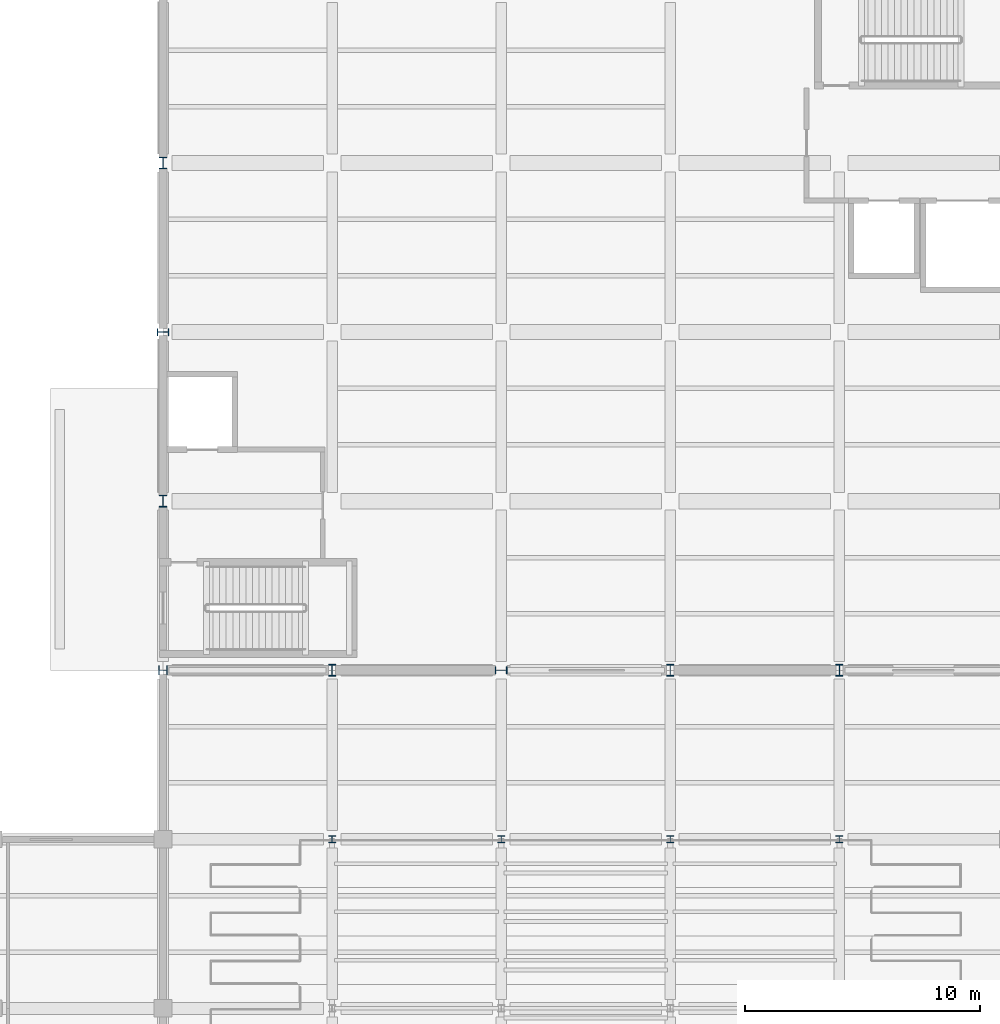
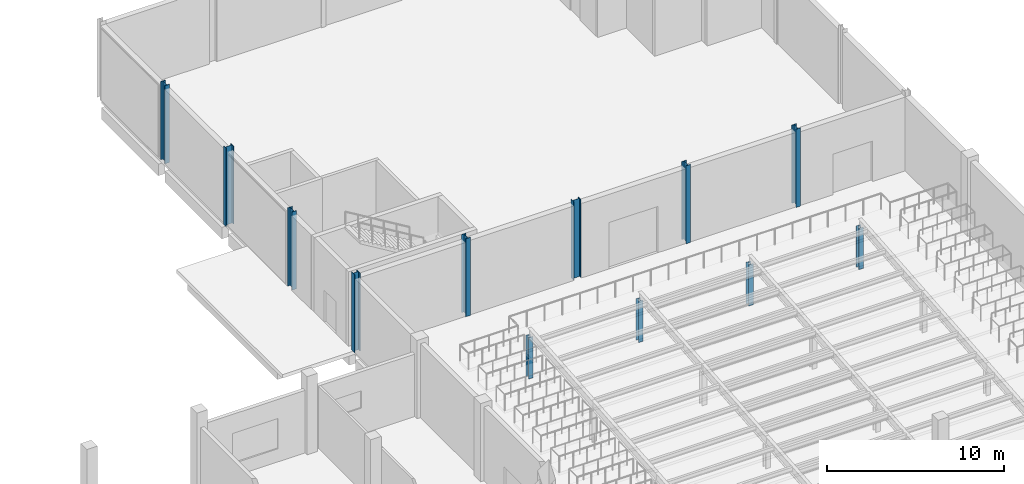
# One storey, part 9 of 46: 12 columns.
"""IFC4 building model written with IfcOpenShell, lengths in metres."""

from ifc_helpers import new_model, si_unit, direction, frame, origin, origin_2d, place, context, subcontext, project, spatial, i_section, extrude, material, material_profile, profile_set, type_object, element, save


model = new_model("IFC4")

# Units and contexts
model_context = context("Model", 3, precision=1e-05, world=origin(), true_north=direction((0.0, 1.0)))
body_context = subcontext(model_context, "Body", "Model", "MODEL_VIEW")
ifc_project = project(units=[si_unit("LENGTHUNIT", "METRE"), si_unit("AREAUNIT", "SQUARE_METRE"), si_unit("VOLUMEUNIT", "CUBIC_METRE"), si_unit("PLANEANGLEUNIT", "RADIAN"), si_unit("MASSUNIT", "GRAM", prefix="KILO"), si_unit("THERMODYNAMICTEMPERATUREUNIT", "KELVIN"), si_unit("POWERUNIT", "WATT")], contexts=[model_context])

# Site, building, storey
site_placement = place(None, origin())
site = spatial("IfcSite", under=ifc_project, at=site_placement, CompositionType="ELEMENT")
building_placement = place(site_placement, origin())
building = spatial("IfcBuilding", under=site, at=building_placement, Name="Kaldorven Railside Theatre", CompositionType="ELEMENT")
storey_placement = place(building_placement, origin())
storey = spatial("IfcBuildingStorey", under=building, at=storey_placement, Name="L00", CompositionType="ELEMENT", Elevation=0.0)

# Columns
ifc_material = material(Name="Steel S355", Category="steel")
ifc_material_profile_1 = material_profile(ifc_material, i_section(OverallWidth=0.300048828125, OverallDepth=0.300048828125, WebThickness=0.010986328125, FlangeThickness=0.01904296875, at=origin_2d()), Name="HEB 300")
ifc_profile_set_1 = profile_set([ifc_material_profile_1], Name="Steel S355")
column_type_1 = type_object("IfcColumnType", Name="COL-HEB300", PredefinedType="COLUMN", material=ifc_profile_set_1)
for number, where, z_axis, x_axis, name in (
    (1, (94.39990234375, 76.800048828125, 0.0), (0.0, 0.0, 1.0), (1.0, 0.0, 0.0), "Raker Support Stanchion V1S-1-05"),
    (2, (101.60009765625, 76.800048828125, 0.0), (0.0, 0.0, 1.0), (1.0, 0.0, 0.0), "Raker Support Stanchion V1S-2-05"),
    (3, (108.800048828125, 76.800048828125, 0.0), (0.0, 0.0, 1.0), (1.0, 0.0, 0.0), "Raker Support Stanchion V1S-3-05"),
    (4, (116.0, 76.800048828125, 0.0), (0.0, 0.0, 1.0), (1.0, 0.0, 0.0), "Raker Support Stanchion V1S-4-05"),
):
    element("IfcColumn", number, at=place(storey_placement, frame(where, z_axis=z_axis, x_axis=x_axis)), inside=storey, type_object=column_type_1, Name=name, PredefinedType="COLUMN", context=body_context, shape_type="SweptSolid", body=[
        extrude(i_section(OverallWidth=0.300048828125, OverallDepth=0.300048828125, WebThickness=0.010986328125, FlangeThickness=0.01904296875, at=origin_2d()), origin(), (0.0, 0.0, 1.0), 2.855224609375),
    ])
ifc_material_profile_2 = material_profile(ifc_material, i_section(OverallWidth=0.300048828125, OverallDepth=0.5, WebThickness=0.014404296875, FlangeThickness=0.028076171875, at=origin_2d()), Name="HEB 500")
ifc_profile_set_2 = profile_set([ifc_material_profile_2], Name="Steel S355")
column_type_2 = type_object("IfcColumnType", Name="COL-HEB500", PredefinedType="COLUMN", material=ifc_profile_set_2)
for number, where, z_axis, x_axis, name in (
    (5, (94.39990234375, 84.0, 0.0), (0.0, 0.0, 1.0), (1.0, 0.0, 0.0), "L00 Column CG-L00-094-084"),
    (6, (101.60009765625, 84.0, 0.0), (0.0, 0.0, 1.0), (0.0, 1.0, 0.0), "L00 Column CG-L00-101-084"),
    (7, (108.800048828125, 84.0, 0.0), (0.0, 0.0, 1.0), (1.0, 0.0, 0.0), "L00 Column CG-L00-108-084"),
    (8, (116.0, 84.0, 0.0), (0.0, 0.0, 1.0), (1.0, 0.0, 0.0), "L00 Column CG-L00-116-084"),
    (9, (87.199951171875, 91.199951171875, 0.0), (0.0, 0.0, 1.0), (1.0, 0.0, 0.0), "L00 Column CG-L00-087-091"),
    (10, (87.199951171875, 98.39990234375, 0.0), (0.0, 0.0, 1.0), (0.0, 1.0, 0.0), "L00 Column CG-L00-087-098"),
    (11, (87.199951171875, 105.60009765625, 0.0), (0.0, 0.0, 1.0), (1.0, 0.0, 0.0), "L00 Column CG-L00-087-105"),
):
    element("IfcColumn", number, at=place(storey_placement, frame(where, z_axis=z_axis, x_axis=x_axis)), inside=storey, type_object=column_type_2, Name=name, PredefinedType="COLUMN", context=body_context, shape_type="SweptSolid", body=[
        extrude(i_section(OverallWidth=0.300048828125, OverallDepth=0.5, WebThickness=0.014404296875, FlangeThickness=0.028076171875, at=origin_2d()), origin(), (0.0, 0.0, 1.0), 5.39990234375),
    ])
ifc_material_profile_3 = material_profile(ifc_material, i_section(OverallWidth=0.37255859375, OverallDepth=0.3681640625, WebThickness=0.014404296875, FlangeThickness=0.023681640625, at=origin_2d()), Name="UC 356x368x177")
ifc_profile_set_3 = profile_set([ifc_material_profile_3], Name="Steel S355")
column_type_3 = type_object("IfcColumnType", Name="COL-UC356", PredefinedType="COLUMN", material=ifc_profile_set_3)
column_placement = place(storey_placement, frame((87.199951171875, 84.0, 0.0), z_axis=(0.0, 0.0, 1.0), x_axis=(0.0, 1.0, 0.0)))
element("IfcColumn", 12, at=column_placement, inside=storey, type_object=column_type_3, Name="L00 Column CG-L00-087-084", PredefinedType="COLUMN", context=body_context, shape_type="SweptSolid", body=[
    extrude(i_section(OverallWidth=0.37255859375, OverallDepth=0.3681640625, WebThickness=0.014404296875, FlangeThickness=0.023681640625, at=origin_2d()), origin(), (0.0, 0.0, 1.0), 5.39990234375),
])

save(model, "model.ifc")
